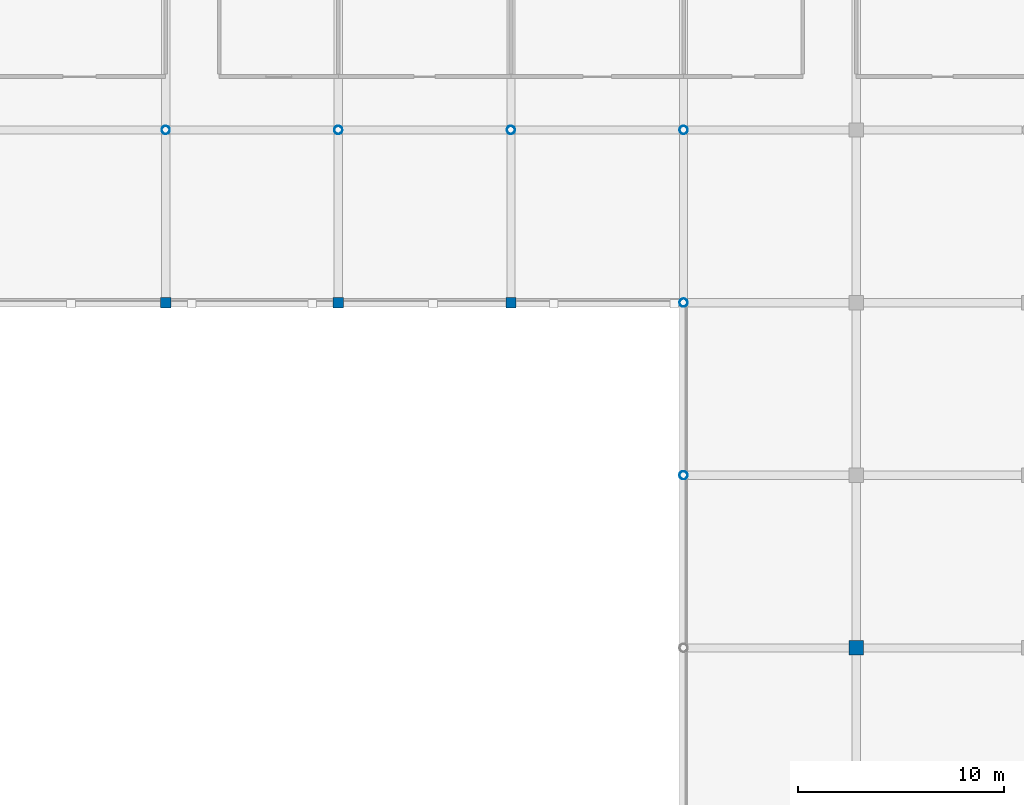
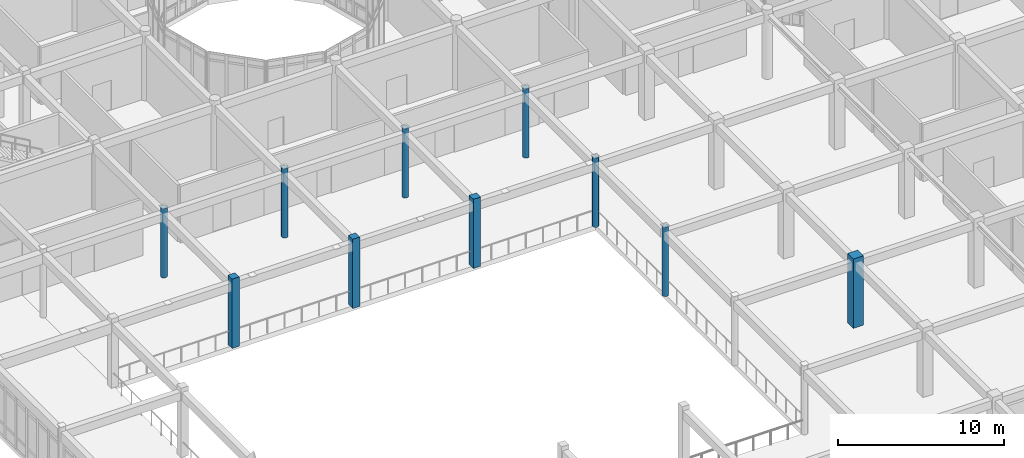
# One storey, part 6 of 134: 10 columns.
"""IFC4 building model written with IfcOpenShell, lengths in metres."""

from ifc_helpers import new_model, si_unit, direction, frame, origin, origin_2d, place, context, subcontext, project, spatial, rectangle, hollow_circle, extrude, material, material_profile, profile_set, type_object, element, save


model = new_model("IFC4")

# Units and contexts
model_context = context("Model", 3, precision=1e-05, world=origin(), true_north=direction((0.0, 1.0)))
body_context = subcontext(model_context, "Body", "Model", "MODEL_VIEW")
ifc_project = project(units=[si_unit("LENGTHUNIT", "METRE"), si_unit("AREAUNIT", "SQUARE_METRE"), si_unit("VOLUMEUNIT", "CUBIC_METRE"), si_unit("PLANEANGLEUNIT", "RADIAN"), si_unit("MASSUNIT", "GRAM", prefix="KILO")], contexts=[model_context])

# Site, building, storey
site_placement = place(None, origin())
site = spatial("IfcSite", under=ifc_project, at=site_placement, CompositionType="ELEMENT")
building_placement = place(site_placement, origin())
building = spatial("IfcBuilding", under=site, at=building_placement, Name="Bramfleet General Hospital", CompositionType="ELEMENT")
storey_placement = place(building_placement, frame((0.0, 0.0, 9.300048828125)))
storey = spatial("IfcBuildingStorey", under=building, at=storey_placement, Name="L02", CompositionType="ELEMENT", Elevation=9.300048828125)

# Columns
ifc_material_1 = material(Name="Steel S355", Category="steel")
ifc_material_profile_1 = material_profile(ifc_material_1, hollow_circle(Radius=0.203125, WallThickness=0.01611328125, at=origin_2d()), Name="CHS 406.4x16.0")
ifc_profile_set_1 = profile_set([ifc_material_profile_1], Name="Steel S355")
column_type_1 = type_object("IfcColumnType", Name="COL-CHS406", PredefinedType="COLUMN", material=ifc_profile_set_1)
for number, where, z_axis, x_axis, name in (
    (1, (67.199951171875, 58.800048828125, 0.0), (0.0, 0.0, 1.0), (1.0, 0.0, 0.0), "Column COL-L02-08-07"),
    (2, (75.60009765625, 58.800048828125, 0.0), (0.0, 0.0, 1.0), (1.0, 0.0, 0.0), "Column COL-L02-09-07"),
    (3, (84.0, 58.800048828125, 0.0), (0.0, 0.0, 1.0), (1.0, 0.0, 0.0), "Column COL-L02-10-07"),
    (4, (92.39990234375, 42.0, 0.0), (0.0, 0.0, 1.0), (1.0, 0.0, 0.0), "Column COL-L02-11-05"),
    (5, (92.39990234375, 50.39990234375, 0.0), (0.0, 0.0, 1.0), (1.0, 0.0, 0.0), "Column COL-L02-11-06"),
    (6, (92.39990234375, 58.800048828125, 0.0), (0.0, 0.0, 1.0), (1.0, 0.0, 0.0), "Column COL-L02-11-07"),
):
    element("IfcColumn", number, at=place(storey_placement, frame(where, z_axis=z_axis, x_axis=x_axis)), inside=storey, type_object=column_type_1, Name=name, PredefinedType="COLUMN", context=body_context, shape_type="SweptSolid", body=[
        extrude(hollow_circle(Radius=0.203125, WallThickness=0.01611328125, at=origin_2d()), origin(), (0.0, 0.0, 1.0), 5.099853515625),
    ])
ifc_material_2 = material(Name="Concrete C40/50", Category="concrete")
ifc_material_profile_2 = material_profile(ifc_material_2, rectangle(XDim=0.5, YDim=0.5, at=origin_2d()), Name="RC COL 500x500")
ifc_profile_set_2 = profile_set([ifc_material_profile_2], Name="Concrete C40/50")
column_type_2 = type_object("IfcColumnType", Name="COL-RC500", PredefinedType="COLUMN", material=ifc_profile_set_2)
for number, where, z_axis, x_axis, name in (
    (7, (67.199951171875, 50.39990234375, 0.0), (0.0, 0.0, 1.0), (1.0, 0.0, 0.0), "Column COL-L02-08-06"),
    (8, (75.60009765625, 50.39990234375, 0.0), (0.0, 0.0, 1.0), (1.0, 0.0, 0.0), "Column COL-L02-09-06"),
    (9, (84.0, 50.39990234375, 0.0), (0.0, 0.0, 1.0), (1.0, 0.0, 0.0), "Column COL-L02-10-06"),
):
    element("IfcColumn", number, at=place(storey_placement, frame(where, z_axis=z_axis, x_axis=x_axis)), inside=storey, type_object=column_type_2, Name=name, PredefinedType="COLUMN", context=body_context, shape_type="SweptSolid", body=[
        extrude(rectangle(XDim=0.5, YDim=0.5, at=origin_2d()), origin(), (0.0, 0.0, 1.0), 5.099853515625),
    ])
ifc_material_profile_3 = material_profile(ifc_material_2, rectangle(XDim=0.699951171875, YDim=0.699951171875, at=origin_2d()), Name="RC COL 700x700")
ifc_profile_set_3 = profile_set([ifc_material_profile_3], Name="Concrete C40/50")
column_type_3 = type_object("IfcColumnType", Name="COL-RC700", PredefinedType="COLUMN", material=ifc_profile_set_3)
column_placement = place(storey_placement, frame((100.800048828125, 33.60009765625, 0.0), z_axis=(0.0, 0.0, 1.0), x_axis=(1.0, 0.0, 0.0)))
element("IfcColumn", 10, at=column_placement, inside=storey, type_object=column_type_3, Name="Column COL-L02-12-04", PredefinedType="COLUMN", context=body_context, shape_type="SweptSolid", body=[
    extrude(rectangle(XDim=0.699951171875, YDim=0.699951171875, at=origin_2d()), origin(), (0.0, 0.0, 1.0), 5.099853515625),
])

save(model, "model.ifc")
